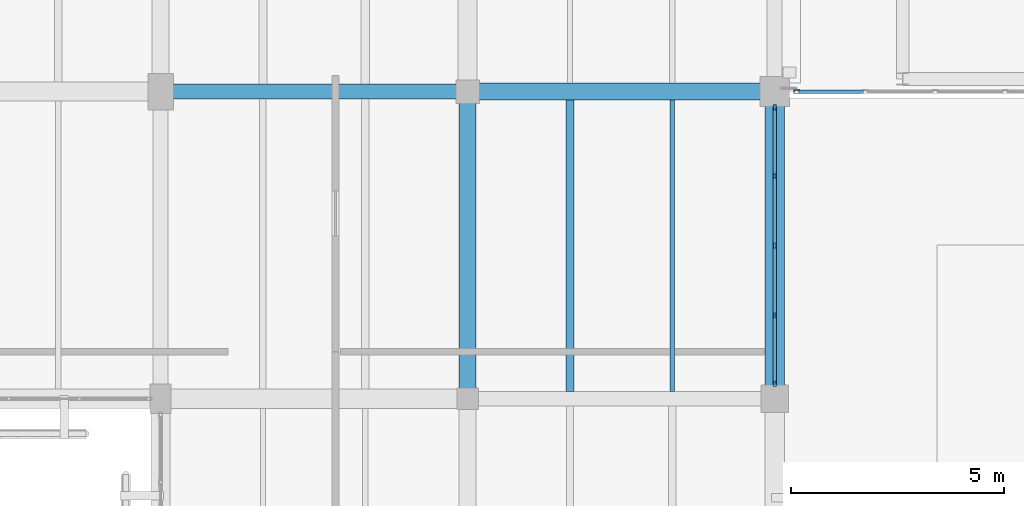
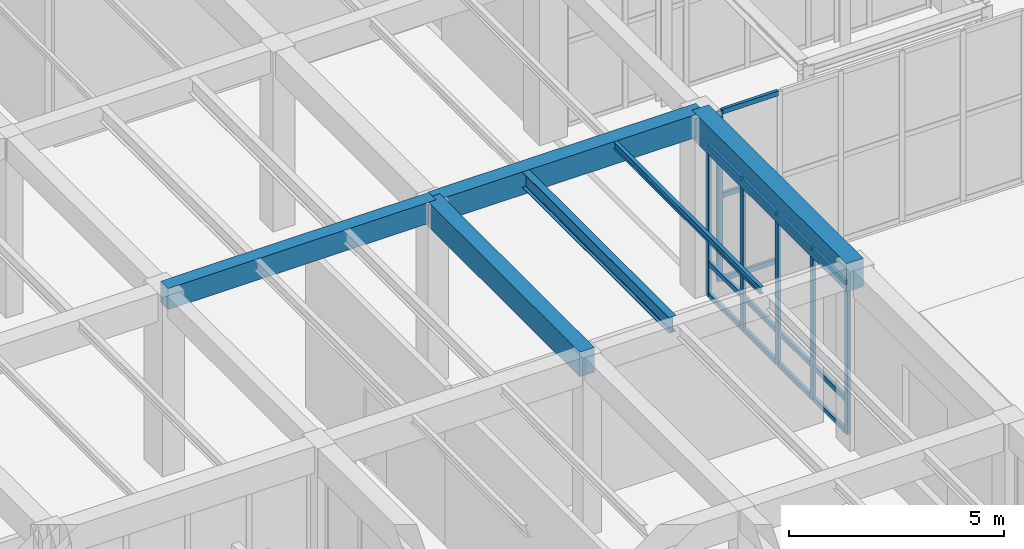
# One storey, part 61 of 169: 21 members, 6 beams, 2 elements without a shape of their own.
"""IFC4 building model written with IfcOpenShell, lengths in metres."""

import ifcopenshell
import ifcopenshell.guid

model = None  # the IFC model being written
_history = None  # IfcOwnerHistory: only IFC2X3 demands one
_inside = {}  # id of a spatial element -> (the spatial element, [elements in it])
_under = {}  # id of a project, library or spatial element -> (it, [spatial elements below it])
_declared = {}  # id of a project -> (the project, [libraries it declares])
_typed = {}  # id of a type object -> (the type object, [elements of that type])
_made_of = {}  # id of a material, layer set ... -> (it, [elements and type objects made of it])


def new_model(schema):
    """Start an empty IFC model of exactly this schema.

    Asked for "IFC4X3", IfcOpenShell would pick the latest addendum, in which some entities
    have other attributes; the version numbers below select the first issue.
    IFC2X3 requires an IfcOwnerHistory on every rooted entity: one is made here for all.
    """
    global model, _history
    if schema == "IFC4X3":
        model = ifcopenshell.file(schema_version=(4, 3, 0, 0))
    else:
        model = ifcopenshell.file(schema=schema)
    _inside.clear()
    _under.clear()
    _declared.clear()
    _typed.clear()
    _made_of.clear()
    _history = None
    if model.schema == "IFC2X3":
        org = make("IfcOrganization", Name="unknown")
        user = make(
            "IfcPersonAndOrganization",
            ThePerson=make("IfcPerson", FamilyName="unknown"),
            TheOrganization=org,
        )
        app = make(
            "IfcApplication",
            ApplicationDeveloper=org,
            Version="unknown",
            ApplicationFullName="unknown",
            ApplicationIdentifier="unknown",
        )
        _history = make(
            "IfcOwnerHistory",
            OwningUser=user,
            OwningApplication=app,
            ChangeAction="ADDED",
            CreationDate=0,
        )
    return model


def make(cls, **values):
    """One entity of the class cls with the attributes given. An attribute that is None is left unset."""
    return model.create_entity(
        cls, **{name: value for name, value in values.items() if value is not None}
    )


def rooted(cls, **values):
    """An entity with a GlobalId (a new one), such as an element, a storey or a relation."""
    return make(cls, GlobalId=ifcopenshell.guid.new(), OwnerHistory=_history, **values)


def si_unit(unit_type, name, prefix=None):
    """IfcSIUnit, for example si_unit("LENGTHUNIT", "METRE", prefix="MILLI")."""
    return make("IfcSIUnit", UnitType=unit_type, Prefix=prefix, Name=name)


def assignment(units):
    """IfcUnitAssignment: the units of a project."""
    return None if units is None else make("IfcUnitAssignment", Units=units)


def point(xyz):
    """IfcCartesianPoint."""
    return None if xyz is None else make("IfcCartesianPoint", Coordinates=xyz)


def direction(xyz):
    """IfcDirection."""
    return None if xyz is None else make("IfcDirection", DirectionRatios=xyz)


def frame(location, z_axis=None, x_axis=None):
    """IfcAxis2Placement3D, a coordinate frame: its origin and axes. An axis left out is left unset."""
    return make(
        "IfcAxis2Placement3D",
        Location=point(location),
        Axis=direction(z_axis),
        RefDirection=direction(x_axis),
    )


def frame_2d(location, x_axis=None):
    """IfcAxis2Placement2D, a coordinate frame in the plane: its origin and x axis."""
    return make(
        "IfcAxis2Placement2D", Location=point(location), RefDirection=direction(x_axis)
    )


def origin():
    """The frame at (0, 0, 0) with its axes left unset."""
    return frame((0.0, 0.0, 0.0))


def origin_2d():
    """The frame at (0, 0) in the plane with its x axis left unset."""
    return frame_2d((0.0, 0.0))


def place(relative_to, where):
    """IfcLocalPlacement: puts the frame where relative to a parent placement (None: the world)."""
    return make(
        "IfcLocalPlacement", PlacementRelTo=relative_to, RelativePlacement=where
    )


def context(
    kind, dimensions, precision=None, world=None, true_north=None, identifier=None
):
    """IfcGeometricRepresentationContext, for example the 3D "Model" context."""
    return make(
        "IfcGeometricRepresentationContext",
        ContextIdentifier=identifier,
        ContextType=kind,
        CoordinateSpaceDimension=dimensions,
        Precision=precision,
        WorldCoordinateSystem=world,
        TrueNorth=true_north,
    )


def subcontext(parent, identifier, kind, view, scale=None):
    """IfcGeometricRepresentationSubContext, for example "Body" below "Model"."""
    return make(
        "IfcGeometricRepresentationSubContext",
        ContextIdentifier=identifier,
        ContextType=kind,
        ParentContext=parent,
        TargetScale=scale,
        TargetView=view,
    )


def project(units=None, contexts=None):
    """IfcProject with its units and contexts."""
    return rooted(
        "IfcProject",
        Name="project",
        RepresentationContexts=contexts,
        UnitsInContext=assignment(units),
    )


def spatial(cls, under=None, at=None, **own):
    """A site, building, storey or space (cls), placed at a placement, below another one or the project."""
    s = rooted(cls, ObjectPlacement=at, **own)
    if under is not None:
        _under.setdefault(under.id(), (under, []))[1].append(s)
    return s


def profile(cls, at=None, kind="AREA", **sizes):
    """A parametric profile (cls). Its sizes go by their IFC names, for example OverallWidth=200.0."""
    return make(cls, ProfileType=kind, Position=at, **sizes)


def rectangle(**sizes):
    """IfcRectangleProfileDef."""
    return profile("IfcRectangleProfileDef", **sizes)


def hollow_rectangle(**sizes):
    """IfcRectangleHollowProfileDef."""
    return profile("IfcRectangleHollowProfileDef", **sizes)


def i_section(**sizes):
    """IfcIShapeProfileDef."""
    return profile("IfcIShapeProfileDef", **sizes)


def extrude(swept, where, along, depth):
    """IfcExtrudedAreaSolid: the profile swept, set in the frame where, extruded along a direction by depth."""
    return make(
        "IfcExtrudedAreaSolid",
        SweptArea=swept,
        Position=where,
        ExtrudedDirection=direction(along),
        Depth=depth,
    )


def shape(context_of_items, identifier, shape_type, items):
    """IfcShapeRepresentation: the items that make up one representation, for example the "Body"."""
    return make(
        "IfcShapeRepresentation",
        ContextOfItems=context_of_items,
        RepresentationIdentifier=identifier,
        RepresentationType=shape_type,
        Items=items,
    )


def material(Name=None, Category=None):
    """IfcMaterial."""
    return make("IfcMaterial", Name=Name, Category=Category)


def layer(
    of_material, thickness, ventilated=None, Name=None, Category=None, Priority=None
):
    """IfcMaterialLayer: one layer of a wall or slab, of a material (None: an air gap)."""
    return make(
        "IfcMaterialLayer",
        Material=of_material,
        LayerThickness=thickness,
        IsVentilated=ventilated,
        Name=Name,
        Category=Category,
        Priority=Priority,
    )


def layer_set(layers, Name=None):
    """IfcMaterialLayerSet."""
    return make("IfcMaterialLayerSet", MaterialLayers=layers, LayerSetName=Name)


def material_profile(
    of_material, cross_section, Name=None, Category=None, Priority=None
):
    """IfcMaterialProfile: a cross section and its material."""
    return make(
        "IfcMaterialProfile",
        Name=Name,
        Material=of_material,
        Profile=cross_section,
        Priority=Priority,
        Category=Category,
    )


def profile_set(profiles, Name=None, composite=None):
    """IfcMaterialProfileSet."""
    return make(
        "IfcMaterialProfileSet",
        Name=Name,
        MaterialProfiles=profiles,
        CompositeProfile=composite,
    )


def made_of(thing, what):
    """Note that an element or type object is made of a material, layer set ...; save() writes the relation."""
    if what is not None:
        _made_of.setdefault(what.id(), (what, []))[1].append(thing)
    return thing


def type_object(cls, material=None, **own):
    """A type object (cls), such as IfcWallType, which elements share."""
    return made_of(rooted(cls, **own), material)


def element(
    cls,
    number,
    at=None,
    inside=None,
    cuts=None,
    type_object=None,
    material=None,
    context=None,
    identifier="Body",
    shape_type=None,
    held_by="IfcProductDefinitionShape",
    body=None,
    shapes=None,
    **own,
):
    """One element of the class cls, such as IfcWall. Its Tag is "e" and its number.

    at: its placement. inside: the storey or other place that contains it. cuts: it is an
    opening in that element (IfcRelVoidsElement). A single representation is given by context,
    identifier, shape_type and body (its items); several are given by shapes. held_by: the class
    of the entity that holds the representations. save() writes the other relations.
    """
    e = rooted(cls, Tag="e%d" % number, ObjectPlacement=at, **own)
    if body is not None:
        shapes = [shape(context, identifier, shape_type, body)]
    if shapes is not None:
        e.Representation = make(held_by, Representations=shapes)
    if inside is not None:
        _inside.setdefault(inside.id(), (inside, []))[1].append(e)
    if cuts is not None:
        rooted(
            "IfcRelVoidsElement", RelatingBuildingElement=cuts, RelatedOpeningElement=e
        )
    if type_object is not None:
        _typed.setdefault(type_object.id(), (type_object, []))[1].append(e)
    return made_of(e, material)


def aggregate(whole, parts):
    """IfcRelAggregates: a whole, such as a stair, and the parts it consists of."""
    return rooted("IfcRelAggregates", RelatingObject=whole, RelatedObjects=parts)


def save(model, path):
    """Write the relations noted so far, then the file.

    IfcRelAggregates (storeys below a building ...), IfcRelContainedInSpatialStructure (elements
    in a storey), IfcRelDefinesByType, IfcRelAssociatesMaterial and IfcRelDeclares: one each for
    every whole, place, type object, material and project.
    """
    for whole, parts in _under.values():
        aggregate(whole, parts)
    for where, things in _inside.values():
        rooted(
            "IfcRelContainedInSpatialStructure",
            RelatedElements=things,
            RelatingStructure=where,
        )
    for kind, things in _typed.values():
        rooted("IfcRelDefinesByType", RelatedObjects=things, RelatingType=kind)
    for what, things in _made_of.values():
        rooted("IfcRelAssociatesMaterial", RelatedObjects=things, RelatingMaterial=what)
    for by, libraries in _declared.values():
        rooted("IfcRelDeclares", RelatingContext=by, RelatedDefinitions=libraries)
    model.write(path)


model = new_model("IFC4")

# Units and contexts
model_context = context("Model", 3, precision=1e-05, world=origin(), true_north=direction((0.0, 1.0)))
body_context = subcontext(model_context, "Body", "Model", "MODEL_VIEW")
ifc_project = project(units=[si_unit("LENGTHUNIT", "METRE"), si_unit("AREAUNIT", "SQUARE_METRE"), si_unit("VOLUMEUNIT", "CUBIC_METRE"), si_unit("PLANEANGLEUNIT", "RADIAN"), si_unit("MASSUNIT", "GRAM", prefix="KILO")], contexts=[model_context])

# Site, building, storey
site_placement = place(None, origin())
site = spatial("IfcSite", under=ifc_project, at=site_placement, CompositionType="ELEMENT")
building_placement = place(site_placement, origin())
building = spatial("IfcBuilding", under=site, at=building_placement, Name="Mazaris Harbour Polytechnic", CompositionType="ELEMENT")
storey_placement = place(building_placement, origin())
storey = spatial("IfcBuildingStorey", under=building, at=storey_placement, Name="L00", CompositionType="ELEMENT", Elevation=0.0)

# Curtain wall, members
ifc_material_1 = material(Name="Anodised Bronze Aluminium and Low-E Glass", Category="aluminium")
ifc_layer_1 = layer(ifc_material_1, 0.159912109375, Name="Anodised Bronze Aluminium and Low-E Glass")
ifc_layer_set_1 = layer_set([ifc_layer_1], Name="Anodised Bronze Aluminium and Low-E Glass")
curtain_wall_type_1 = type_object("IfcCurtainWallType", Name="Cloister Court Curtain Wall", PredefinedType="NOTDEFINED", material=ifc_layer_set_1)
curtain_wall_1_placement = place(storey_placement, origin())
curtain_wall_1 = element("IfcCurtainWall", 1, at=curtain_wall_1_placement, inside=storey, type_object=curtain_wall_type_1, Name="V4 L00 Curtain Wall 98", PredefinedType="NOTDEFINED")
ifc_material_2 = material(Name="Anodised Bronze Steel S355", Category="steel")
ifc_material_profile_1 = material_profile(ifc_material_2, hollow_rectangle(XDim=0.080078125, YDim=0.139892578125, WallThickness=0.00634765625, at=origin_2d()), Name="RHS 80x140x6.3")
ifc_profile_set_1 = profile_set([ifc_material_profile_1], Name="Anodised Bronze Steel S355")
member_type_1 = type_object("IfcMemberType", Name="Curtain Mullion RHS80x140", PredefinedType="MULLION", material=ifc_profile_set_1)
member_1_placement = place(storey_placement, frame((43.199951171875, 75.218017578125, 0.0), z_axis=(0.0, 0.0, 1.0), x_axis=(1.0, 0.0, 0.0)))
member_1 = element("IfcMember", 2, at=member_1_placement, type_object=member_type_1, Name="CW-02 mullion 1", PredefinedType="MULLION", context=body_context, shape_type="SweptSolid", body=[
    extrude(hollow_rectangle(XDim=0.080078125, YDim=0.139892578125, WallThickness=0.00634765625, at=origin_2d()), origin(), (0.0, 0.0, 1.0), 4.2900390625),
])
member_2_placement = place(storey_placement, frame((43.199951171875, 73.622802734375, 0.0), z_axis=(0.0, 0.0, 1.0), x_axis=(1.0, 0.0, 0.0)))
member_2 = element("IfcMember", 3, at=member_2_placement, type_object=member_type_1, Name="CW-02 mullion 2", PredefinedType="MULLION", context=body_context, shape_type="SweptSolid", body=[
    extrude(hollow_rectangle(XDim=0.080078125, YDim=0.139892578125, WallThickness=0.00634765625, at=origin_2d()), origin(), (0.0, 0.0, 1.0), 4.2900390625),
])
member_3_placement = place(storey_placement, frame((43.199951171875, 71.987548828125, 0.0), z_axis=(0.0, 0.0, 1.0), x_axis=(1.0, 0.0, 0.0)))
member_3 = element("IfcMember", 4, at=member_3_placement, type_object=member_type_1, Name="CW-02 mullion 3", PredefinedType="MULLION", context=body_context, shape_type="SweptSolid", body=[
    extrude(hollow_rectangle(XDim=0.080078125, YDim=0.139892578125, WallThickness=0.00634765625, at=origin_2d()), origin(), (0.0, 0.0, 1.0), 4.2900390625),
])
member_4_placement = place(storey_placement, frame((43.199951171875, 70.352294921875, 0.0), z_axis=(0.0, 0.0, 1.0), x_axis=(1.0, 0.0, 0.0)))
member_4 = element("IfcMember", 5, at=member_4_placement, type_object=member_type_1, Name="CW-02 mullion 4", PredefinedType="MULLION", context=body_context, shape_type="SweptSolid", body=[
    extrude(hollow_rectangle(XDim=0.080078125, YDim=0.139892578125, WallThickness=0.00634765625, at=origin_2d()), origin(), (0.0, 0.0, 1.0), 4.2900390625),
])
member_5_placement = place(storey_placement, frame((43.199951171875, 68.757080078125, 0.0), z_axis=(0.0, 0.0, 1.0), x_axis=(1.0, 0.0, 0.0)))
member_5 = element("IfcMember", 6, at=member_5_placement, type_object=member_type_1, Name="CW-02 mullion 5", PredefinedType="MULLION", context=body_context, shape_type="SweptSolid", body=[
    extrude(hollow_rectangle(XDim=0.080078125, YDim=0.139892578125, WallThickness=0.00634765625, at=origin_2d()), origin(), (0.0, 0.0, 1.0), 4.2900390625),
])

# Curtain wall, member
ifc_material_3 = material(Name="Anodised Bronze Aluminium and Low-E Glass", Category="aluminium")
ifc_layer_2 = layer(ifc_material_3, 0.139892578125, Name="Anodised Bronze Aluminium and Low-E Glass")
ifc_layer_set_2 = layer_set([ifc_layer_2], Name="Anodised Bronze Aluminium and Low-E Glass")
curtain_wall_type_2 = type_object("IfcCurtainWallType", Name="Seismic Link Bridge Glazing", PredefinedType="NOTDEFINED", material=ifc_layer_set_2)
curtain_wall_2_placement = place(storey_placement, origin())
curtain_wall_2 = element("IfcCurtainWall", 7, at=curtain_wall_2_placement, inside=storey, type_object=curtain_wall_type_2, Name="PB-W2 L00 Bridge Glazing", PredefinedType="NOTDEFINED")
member_6_placement = place(storey_placement, frame((43.719970703125, 75.60009765625, 0.0), z_axis=(0.0, 0.0, 1.0), x_axis=(0.0, 1.0, 0.0)))
member_6 = element("IfcMember", 8, at=member_6_placement, type_object=member_type_1, Name="CW-05 mullion 1", PredefinedType="MULLION", context=body_context, shape_type="SweptSolid", body=[
    extrude(hollow_rectangle(XDim=0.080078125, YDim=0.139892578125, WallThickness=0.00634765625, at=origin_2d()), origin(), (0.0, 0.0, 1.0), 4.8349609375),
])

# Member
ifc_material_4 = material(Name="Anodised Bronze Steel S355", Category="steel")
ifc_material_profile_2 = material_profile(ifc_material_4, hollow_rectangle(XDim=0.080078125, YDim=0.139892578125, WallThickness=0.00634765625, at=origin_2d()), Name="RHS 80x140x6.3")
ifc_profile_set_2 = profile_set([ifc_material_profile_2], Name="Anodised Bronze Steel S355")
member_type_2 = type_object("IfcMemberType", Name="Curtain Transom RHS80x140", PredefinedType="USERDEFINED", material=ifc_profile_set_2)
member_7_placement = place(storey_placement, frame((43.199951171875, 75.177978515625, 0.0400390625), z_axis=(0.0, -1.0, 0.0), x_axis=(1.0, 0.0, 0.0)))
member_7 = element("IfcMember", 9, at=member_7_placement, type_object=member_type_2, Name="CW-02 transom 1.1", ObjectType="TRANSOM", PredefinedType="USERDEFINED", context=body_context, shape_type="SweptSolid", body=[
    extrude(hollow_rectangle(XDim=0.080078125, YDim=0.139892578125, WallThickness=0.00634765625, at=origin_2d()), origin(), (0.0, 0.0, 1.0), 1.51513671875),
])

member_8_placement = place(storey_placement, frame((43.199951171875, 75.177978515625, 0.949951171875), z_axis=(0.0, -1.0, 0.0), x_axis=(1.0, 0.0, 0.0)))
member_8 = element("IfcMember", 10, at=member_8_placement, type_object=member_type_2, Name="CW-02 transom 1.2", ObjectType="TRANSOM", PredefinedType="USERDEFINED", context=body_context, shape_type="SweptSolid", body=[
    extrude(hollow_rectangle(XDim=0.080078125, YDim=0.139892578125, WallThickness=0.00634765625, at=origin_2d()), origin(), (0.0, 0.0, 1.0), 1.51513671875),
])

member_9_placement = place(storey_placement, frame((43.199951171875, 75.177978515625, 4.25), z_axis=(0.0, -1.0, 0.0), x_axis=(1.0, 0.0, 0.0)))
member_9 = element("IfcMember", 11, at=member_9_placement, type_object=member_type_2, Name="CW-02 transom 1.3", ObjectType="TRANSOM", PredefinedType="USERDEFINED", context=body_context, shape_type="SweptSolid", body=[
    extrude(hollow_rectangle(XDim=0.080078125, YDim=0.139892578125, WallThickness=0.00634765625, at=origin_2d()), origin(), (0.0, 0.0, 1.0), 1.51513671875),
])

member_10_placement = place(storey_placement, frame((43.199951171875, 73.582763671875, 0.0400390625), z_axis=(0.0, -1.0, 0.0), x_axis=(1.0, 0.0, 0.0)))
member_10 = element("IfcMember", 12, at=member_10_placement, type_object=member_type_2, Name="CW-02 transom 2.1", ObjectType="TRANSOM", PredefinedType="USERDEFINED", context=body_context, shape_type="SweptSolid", body=[
    extrude(hollow_rectangle(XDim=0.080078125, YDim=0.139892578125, WallThickness=0.00634765625, at=origin_2d()), origin(), (0.0, 0.0, 1.0), 1.55517578125),
])

member_11_placement = place(storey_placement, frame((43.199951171875, 73.582763671875, 0.949951171875), z_axis=(0.0, -1.0, 0.0), x_axis=(1.0, 0.0, 0.0)))
member_11 = element("IfcMember", 13, at=member_11_placement, type_object=member_type_2, Name="CW-02 transom 2.2", ObjectType="TRANSOM", PredefinedType="USERDEFINED", context=body_context, shape_type="SweptSolid", body=[
    extrude(hollow_rectangle(XDim=0.080078125, YDim=0.139892578125, WallThickness=0.00634765625, at=origin_2d()), origin(), (0.0, 0.0, 1.0), 1.55517578125),
])

member_12_placement = place(storey_placement, frame((43.199951171875, 73.582763671875, 4.25), z_axis=(0.0, -1.0, 0.0), x_axis=(1.0, 0.0, 0.0)))
member_12 = element("IfcMember", 14, at=member_12_placement, type_object=member_type_2, Name="CW-02 transom 2.3", ObjectType="TRANSOM", PredefinedType="USERDEFINED", context=body_context, shape_type="SweptSolid", body=[
    extrude(hollow_rectangle(XDim=0.080078125, YDim=0.139892578125, WallThickness=0.00634765625, at=origin_2d()), origin(), (0.0, 0.0, 1.0), 1.55517578125),
])

member_13_placement = place(storey_placement, frame((43.199951171875, 71.947509765625, 0.0400390625), z_axis=(0.0, -1.0, 0.0), x_axis=(1.0, 0.0, 0.0)))
member_13 = element("IfcMember", 15, at=member_13_placement, type_object=member_type_2, Name="CW-02 transom 3.1", ObjectType="TRANSOM", PredefinedType="USERDEFINED", context=body_context, shape_type="SweptSolid", body=[
    extrude(hollow_rectangle(XDim=0.080078125, YDim=0.139892578125, WallThickness=0.00634765625, at=origin_2d()), origin(), (0.0, 0.0, 1.0), 1.55517578125),
])

member_14_placement = place(storey_placement, frame((43.199951171875, 71.947509765625, 0.949951171875), z_axis=(0.0, -1.0, 0.0), x_axis=(1.0, 0.0, 0.0)))
member_14 = element("IfcMember", 16, at=member_14_placement, type_object=member_type_2, Name="CW-02 transom 3.2", ObjectType="TRANSOM", PredefinedType="USERDEFINED", context=body_context, shape_type="SweptSolid", body=[
    extrude(hollow_rectangle(XDim=0.080078125, YDim=0.139892578125, WallThickness=0.00634765625, at=origin_2d()), origin(), (0.0, 0.0, 1.0), 1.55517578125),
])

member_15_placement = place(storey_placement, frame((43.199951171875, 71.947509765625, 4.25), z_axis=(0.0, -1.0, 0.0), x_axis=(1.0, 0.0, 0.0)))
member_15 = element("IfcMember", 17, at=member_15_placement, type_object=member_type_2, Name="CW-02 transom 3.3", ObjectType="TRANSOM", PredefinedType="USERDEFINED", context=body_context, shape_type="SweptSolid", body=[
    extrude(hollow_rectangle(XDim=0.080078125, YDim=0.139892578125, WallThickness=0.00634765625, at=origin_2d()), origin(), (0.0, 0.0, 1.0), 1.55517578125),
])

member_16_placement = place(storey_placement, frame((43.199951171875, 70.312255859375, 0.0400390625), z_axis=(0.0, -1.0, 0.0), x_axis=(1.0, 0.0, 0.0)))
member_16 = element("IfcMember", 18, at=member_16_placement, type_object=member_type_2, Name="CW-02 transom 4.1", ObjectType="TRANSOM", PredefinedType="USERDEFINED", context=body_context, shape_type="SweptSolid", body=[
    extrude(hollow_rectangle(XDim=0.080078125, YDim=0.139892578125, WallThickness=0.00634765625, at=origin_2d()), origin(), (0.0, 0.0, 1.0), 1.51513671875),
])

member_17_placement = place(storey_placement, frame((43.199951171875, 70.312255859375, 0.949951171875), z_axis=(0.0, -1.0, 0.0), x_axis=(1.0, 0.0, 0.0)))
member_17 = element("IfcMember", 19, at=member_17_placement, type_object=member_type_2, Name="CW-02 transom 4.2", ObjectType="TRANSOM", PredefinedType="USERDEFINED", context=body_context, shape_type="SweptSolid", body=[
    extrude(hollow_rectangle(XDim=0.080078125, YDim=0.139892578125, WallThickness=0.00634765625, at=origin_2d()), origin(), (0.0, 0.0, 1.0), 1.51513671875),
])

member_18_placement = place(storey_placement, frame((43.199951171875, 70.312255859375, 4.25), z_axis=(0.0, -1.0, 0.0), x_axis=(1.0, 0.0, 0.0)))
member_18 = element("IfcMember", 20, at=member_18_placement, type_object=member_type_2, Name="CW-02 transom 4.3", ObjectType="TRANSOM", PredefinedType="USERDEFINED", context=body_context, shape_type="SweptSolid", body=[
    extrude(hollow_rectangle(XDim=0.080078125, YDim=0.139892578125, WallThickness=0.00634765625, at=origin_2d()), origin(), (0.0, 0.0, 1.0), 1.51513671875),
])

aggregate(curtain_wall_1, [member_1, member_2, member_3, member_4, member_5, member_7, member_8, member_9, member_10, member_11, member_12, member_13, member_14, member_15, member_16, member_17, member_18])

member_19_placement = place(storey_placement, frame((43.760009765625, 75.60009765625, 0.0400390625), z_axis=(1.0, 0.0, 0.0), x_axis=(0.0, 1.0, 0.0)))
member_19 = element("IfcMember", 21, at=member_19_placement, type_object=member_type_2, Name="CW-05 transom 1.1", ObjectType="TRANSOM", PredefinedType="USERDEFINED", context=body_context, shape_type="SweptSolid", body=[
    extrude(hollow_rectangle(XDim=0.080078125, YDim=0.139892578125, WallThickness=0.00634765625, at=origin_2d()), origin(), (0.0, 0.0, 1.0), 1.52001953125),
])

member_20_placement = place(storey_placement, frame((43.760009765625, 75.60009765625, 2.41748046875), z_axis=(1.0, 0.0, 0.0), x_axis=(0.0, 1.0, 0.0)))
member_20 = element("IfcMember", 22, at=member_20_placement, type_object=member_type_2, Name="CW-05 transom 1.2", ObjectType="TRANSOM", PredefinedType="USERDEFINED", context=body_context, shape_type="SweptSolid", body=[
    extrude(hollow_rectangle(XDim=0.080078125, YDim=0.139892578125, WallThickness=0.00634765625, at=origin_2d()), origin(), (0.0, 0.0, 1.0), 1.52001953125),
])

member_21_placement = place(storey_placement, frame((43.760009765625, 75.60009765625, 4.794921875), z_axis=(1.0, 0.0, 0.0), x_axis=(0.0, 1.0, 0.0)))
member_21 = element("IfcMember", 23, at=member_21_placement, type_object=member_type_2, Name="CW-05 transom 1.3", ObjectType="TRANSOM", PredefinedType="USERDEFINED", context=body_context, shape_type="SweptSolid", body=[
    extrude(hollow_rectangle(XDim=0.080078125, YDim=0.139892578125, WallThickness=0.00634765625, at=origin_2d()), origin(), (0.0, 0.0, 1.0), 1.52001953125),
])

aggregate(curtain_wall_2, [member_6, member_19, member_20, member_21])

# Beams
ifc_material_5 = material(Name="Concrete C35/45", Category="concrete")
ifc_material_profile_3 = material_profile(ifc_material_5, rectangle(XDim=0.35009765625, YDim=0.60009765625, at=origin_2d()), Name="RECT350x600")
ifc_profile_set_3 = profile_set([ifc_material_profile_3], Name="Concrete C35/45")
beam_type_1 = type_object("IfcBeamType", Name="RC Girder 350x600", PredefinedType="BEAM", material=ifc_profile_set_3)
beam_1_placement = place(storey_placement, frame((28.800048828125, 75.60009765625, 4.800048828125), z_axis=(1.0, 0.0, 0.0), x_axis=(0.0, 1.0, 0.0)))
element("IfcBeam", 24, at=beam_1_placement, inside=storey, type_object=beam_type_1, Name="V4 L00 Girder 1405", PredefinedType="BEAM", context=body_context, shape_type="SweptSolid", body=[
    extrude(rectangle(XDim=0.35009765625, YDim=0.60009765625, at=origin_2d()), origin(), (0.0, 0.0, 1.0), 7.199951171875),
])
ifc_material_6 = material(Name="Concrete C35/45", Category="concrete")
ifc_material_profile_4 = material_profile(ifc_material_6, rectangle(XDim=0.39990234375, YDim=0.64990234375, at=origin_2d()), Name="RECT400x650")
ifc_profile_set_4 = profile_set([ifc_material_profile_4], Name="Concrete C35/45")
beam_type_2 = type_object("IfcBeamType", Name="RC Girder 400x650", PredefinedType="BEAM", material=ifc_profile_set_4)
beam_2_placement = place(storey_placement, frame((36.0, 75.60009765625, 4.77490234375), z_axis=(1.0, 0.0, 0.0), x_axis=(0.0, 1.0, 0.0)))
element("IfcBeam", 25, at=beam_2_placement, inside=storey, type_object=beam_type_2, Name="V4 L00 Girder 1406", PredefinedType="BEAM", context=body_context, shape_type="SweptSolid", body=[
    extrude(rectangle(XDim=0.39990234375, YDim=0.64990234375, at=origin_2d()), origin(), (0.0, 0.0, 1.0), 7.199951171875),
])
ifc_material_7 = material(Name="Concrete C35/45", Category="concrete")
ifc_material_profile_5 = material_profile(ifc_material_7, rectangle(XDim=0.39990234375, YDim=0.699951171875, at=origin_2d()), Name="RECT400x700")
ifc_profile_set_5 = profile_set([ifc_material_profile_5], Name="Concrete C35/45")
beam_type_3 = type_object("IfcBeamType", Name="RC Girder 400x700", PredefinedType="BEAM", material=ifc_profile_set_5)
beam_3_placement = place(storey_placement, frame((36.0, 68.39990234375, 4.75), z_axis=(0.0, 1.0, 0.0), x_axis=(-1.0, 0.0, 0.0)))
element("IfcBeam", 26, at=beam_3_placement, inside=storey, type_object=beam_type_3, Name="V4 L00 Tie Girder 1487", PredefinedType="BEAM", context=body_context, shape_type="SweptSolid", body=[
    extrude(rectangle(XDim=0.39990234375, YDim=0.699951171875, at=origin_2d()), origin(), (0.0, 0.0, 1.0), 7.2001953125),
])
ifc_material_8 = material(Name="Concrete C40/50", Category="concrete")
ifc_material_profile_6 = material_profile(ifc_material_8, rectangle(XDim=0.449951171875, YDim=0.800048828125, at=origin_2d()), Name="RECT450x800")
ifc_profile_set_6 = profile_set([ifc_material_profile_6], Name="Concrete C40/50")
beam_type_4 = type_object("IfcBeamType", Name="RC Girder 450x800 Exterior", PredefinedType="BEAM", material=ifc_profile_set_6)
beam_4_placement = place(storey_placement, frame((43.199951171875, 68.39990234375, 4.699951171875), z_axis=(0.0, 1.0, 0.0), x_axis=(-1.0, 0.0, 0.0)))
element("IfcBeam", 27, at=beam_4_placement, inside=storey, type_object=beam_type_4, Name="V4 L00 Tie Girder 1499", PredefinedType="BEAM", context=body_context, shape_type="SweptSolid", body=[
    extrude(rectangle(XDim=0.449951171875, YDim=0.800048828125, at=origin_2d()), origin(), (0.0, 0.0, 1.0), 7.2001953125),
])
ifc_material_9 = material(Name="Steel S355", Category="steel")
ifc_material_profile_7 = material_profile(ifc_material_9, i_section(OverallWidth=0.10009765625, OverallDepth=0.199951171875, WebThickness=0.005615234375, FlangeThickness=0.008544921875, FilletRadius=0.011962890625, at=origin_2d()), Name="IPE 200")
ifc_profile_set_7 = profile_set([ifc_material_profile_7], Name="Steel S355")
beam_type_5 = type_object("IfcBeamType", Name="Steel Joist IPE200", PredefinedType="JOIST", material=ifc_profile_set_7)
beam_5_placement = place(storey_placement, frame((40.800048828125, 68.574951171875, 5.0), z_axis=(0.0, 1.0, 0.0), x_axis=(-1.0, 0.0, 0.0)))
element("IfcBeam", 28, at=beam_5_placement, inside=storey, type_object=beam_type_5, Name="V4 L00 Floor Joist 1617", PredefinedType="JOIST", context=body_context, shape_type="SweptSolid", body=[
    extrude(i_section(OverallWidth=0.10009765625, OverallDepth=0.199951171875, WebThickness=0.005615234375, FlangeThickness=0.008544921875, FilletRadius=0.011962890625, at=origin_2d()), origin(), (0.0, 0.0, 1.0), 6.824951171875),
])
ifc_material_10 = material(Name="Steel S355", Category="steel")
ifc_material_profile_8 = material_profile(ifc_material_10, i_section(OverallWidth=0.18994140625, OverallDepth=0.449951171875, WebThickness=0.009521484375, FlangeThickness=0.0146484375, FilletRadius=0.02099609375, at=origin_2d()), Name="IPE 450")
ifc_profile_set_8 = profile_set([ifc_material_profile_8], Name="Steel S355")
beam_type_6 = type_object("IfcBeamType", Name="Steel Joist IPE450", PredefinedType="JOIST", material=ifc_profile_set_8)
beam_6_placement = place(storey_placement, frame((38.39990234375, 68.574951171875, 4.875), z_axis=(0.0, 1.0, 0.0), x_axis=(-1.0, 0.0, 0.0)))
element("IfcBeam", 29, at=beam_6_placement, inside=storey, type_object=beam_type_6, Name="V4 L00 Floor Joist 1616", PredefinedType="JOIST", context=body_context, shape_type="SweptSolid", body=[
    extrude(i_section(OverallWidth=0.18994140625, OverallDepth=0.449951171875, WebThickness=0.009521484375, FlangeThickness=0.0146484375, FilletRadius=0.02099609375, at=origin_2d()), origin(), (0.0, 0.0, 1.0), 6.824951171875),
])

save(model, "model.ifc")
